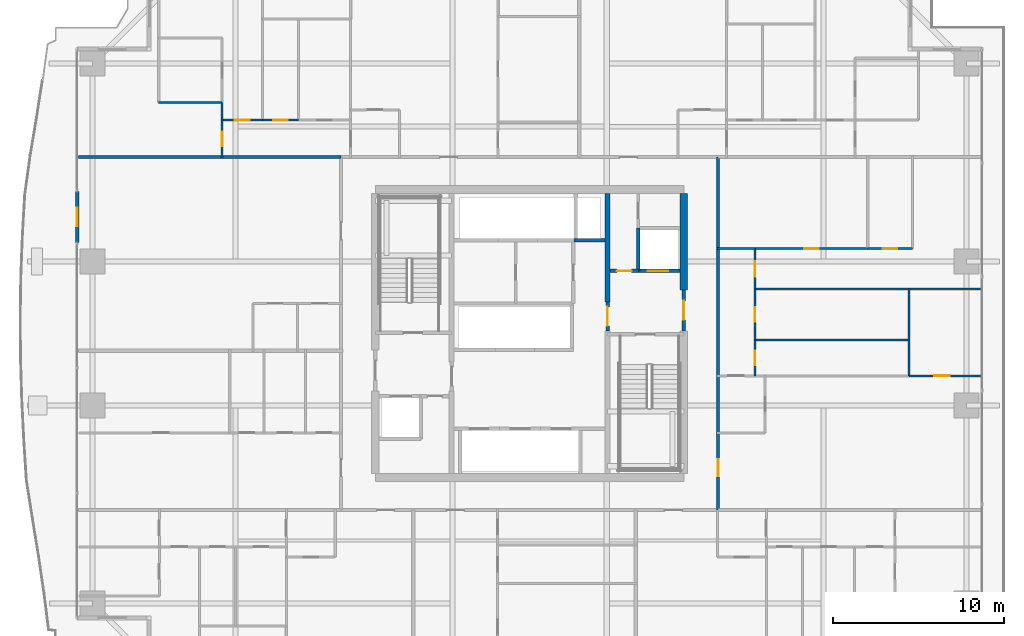
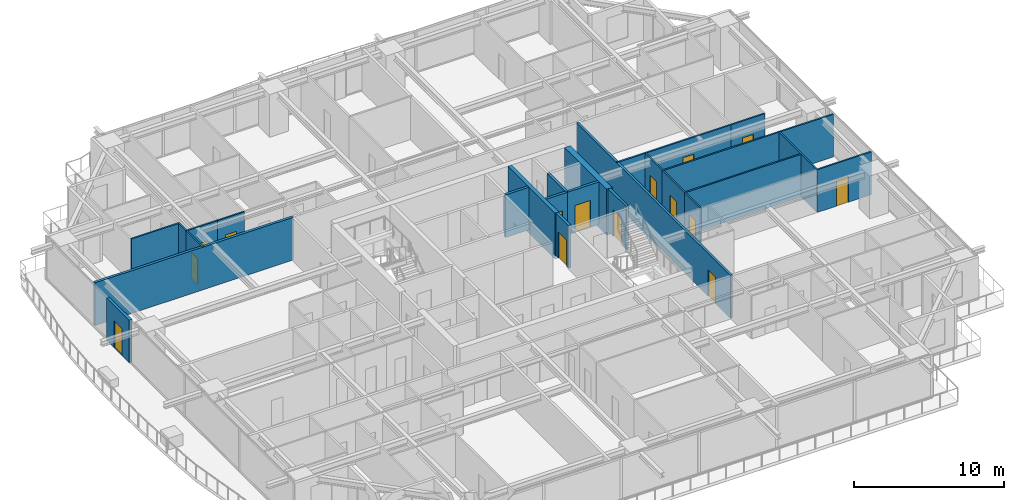
# One storey, part 26 of 35: 26 walls, 15 doors, 15 openings.
"""IFC4 building model written with IfcOpenShell, lengths in metres."""

from ifc_helpers import new_model, si_unit, direction, frame, frame_2d, origin, place, context, subcontext, project, spatial, rectangle, extrude, source, transform, mapped, material, layer, layer_set, type_object, element, fill, save


model = new_model("IFC4")

# Units and contexts
model_context = context("Model", 3, precision=1e-05, world=origin(), true_north=direction((0.0, 1.0)))
body_context = subcontext(model_context, "Body", "Model", "MODEL_VIEW")
ifc_project = project(units=[si_unit("LENGTHUNIT", "METRE"), si_unit("AREAUNIT", "SQUARE_METRE"), si_unit("VOLUMEUNIT", "CUBIC_METRE"), si_unit("PLANEANGLEUNIT", "RADIAN"), si_unit("MASSUNIT", "GRAM", prefix="KILO")], contexts=[model_context])

# Site, building, storey
site_placement = place(None, origin())
site = spatial("IfcSite", under=ifc_project, at=site_placement, CompositionType="ELEMENT")
building_placement = place(site_placement, origin())
building = spatial("IfcBuilding", under=site, at=building_placement, Name="Serunith Strait Residences", CompositionType="ELEMENT")
storey_placement = place(building_placement, frame((0.0, 0.0, 71.699951171875)))
storey = spatial("IfcBuildingStorey", under=building, at=storey_placement, Name="L17", CompositionType="ELEMENT", Elevation=71.699951171875)

# Wall, opening, door
ifc_material_1 = material(Name="Pale-Champagne Aluminium Insulated Panel", Category="aluminium")
ifc_layer_1 = layer(ifc_material_1, 0.219970703125, Name="Pale-Champagne Aluminium Insulated Panel")
ifc_layer_set_1 = layer_set([ifc_layer_1], Name="Pale-Champagne Aluminium Insulated Panel")
wall_type_1 = type_object("IfcWallType", Name="EW-ALUM-220", PredefinedType="ELEMENTEDWALL", material=ifc_layer_set_1)
wall_1_placement = place(storey_placement, frame((6.0, 33.5, 0.0), z_axis=(0.0, 0.0, 1.0), x_axis=(0.0, -1.0, 0.0)))
wall_1 = element("IfcWall", 1, at=wall_1_placement, inside=storey, type_object=wall_type_1, Name="L17 W Facade Pier Wall", PredefinedType="ELEMENTEDWALL", context=body_context, shape_type="SweptSolid", body=[
    extrude(rectangle(XDim=3.0, YDim=0.219970703125, at=frame_2d((1.5, 0.0))), origin(), (0.0, 0.0, 1.0), 3.47509765625),
])
opening_1_placement = place(wall_1_placement, frame((0.949951171875, 0.0, 0.0)))
opening_1 = element("IfcOpeningElement", 2, at=opening_1_placement, cuts=wall_1, Name="Opening ED-03", PredefinedType="OPENING", context=body_context, shape_type="SweptSolid", body=[
    extrude(rectangle(XDim=1.10009765625, YDim=2.199951171875, at=frame_2d((0.550048828125, 1.10009765625))), frame((0.0, 0.1201171875, 0.0), z_axis=(0.0, -1.0, 0.0), x_axis=(1.0, 0.0, 0.0)), (0.0, 0.0, 1.0), 0.239990234375),
])
ifc_material_2 = material(Name="Thermally-Broken Aluminium Glazed Balcony Door", Category="aluminium")
door_type_1 = type_object("IfcDoorType", Name="ED-BALC-1100", OperationType="NOTDEFINED", PredefinedType="DOOR", material=ifc_material_2)
shared_shape_1 = source(origin(), body_context, "Body", "SweptSolid", [
    extrude(rectangle(XDim=1.10009765625, YDim=2.199951171875, at=frame_2d((0.550048828125, 1.10009765625))), frame((0.0, 0.02490234375, 0.0), z_axis=(0.0, -1.0, 0.0), x_axis=(1.0, 0.0, 0.0)), (0.0, 0.0, 1.0), 0.050048828125),
])
door_1_placement = place(opening_1_placement, origin())
door_1 = element("IfcDoor", 3, at=door_1_placement, inside=storey, type_object=door_type_1, Name="L17 W Vertical-Forest Balcony Door", OperationType="SINGLE_SWING_LEFT", OverallHeight=2.199951171875, OverallWidth=1.10009765625, PredefinedType="DOOR", context=body_context, shape_type="MappedRepresentation", body=[
    mapped(shared_shape_1, transform((0.0, 0.0, 0.0), scale=1.0)),
])
fill(opening_1, door_1)

ifc_material_3 = material(Name="Fire-rated acoustic gypsum partition")
ifc_layer_2 = layer(ifc_material_3, 0.179931640625, Name="Fire-rated acoustic gypsum partition")
ifc_layer_set_2 = layer_set([ifc_layer_2], Name="Fire-rated acoustic gypsum partition")
wall_type_2 = type_object("IfcWallType", Name="IW-CORR-180", PredefinedType="PARTITIONING", material=ifc_layer_set_2)
wall_2_placement = place(storey_placement, frame((43.39990234375, 14.89990234375, 0.0), z_axis=(0.0, 0.0, 1.0), x_axis=(0.0, 1.0, 0.0)))
wall_2 = element("IfcWall", 4, at=wall_2_placement, inside=storey, type_object=wall_type_2, Name="L17 Partition Wall 026", PredefinedType="PARTITIONING", context=body_context, shape_type="SweptSolid", body=[
    extrude(rectangle(XDim=20.60009765625, YDim=0.179931640625, at=frame_2d((10.300048828125, 0.0))), origin(), (0.0, 0.0, 1.0), 3.489990234375),
])
opening_2_placement = place(wall_2_placement, frame((1.9599609375, 0.0, 0.0)))
opening_2 = element("IfcOpeningElement", 5, at=opening_2_placement, cuts=wall_2, Name="Opening D-APT1000", PredefinedType="OPENING", context=body_context, shape_type="SweptSolid", body=[
    extrude(rectangle(XDim=1.0, YDim=2.14990234375, at=frame_2d((0.5, 1.074951171875))), frame((0.0, 0.10009765625, 0.0), z_axis=(0.0, -1.0, 0.0), x_axis=(1.0, 0.0, 0.0)), (0.0, 0.0, 1.0), 0.199951171875),
])
ifc_material_4 = material(Name="Solid timber engineered fire door", Category="wood")
door_type_2 = type_object("IfcDoorType", Name="ID-APT-1000", OperationType="NOTDEFINED", PredefinedType="DOOR", material=ifc_material_4)
shared_shape_2 = source(origin(), body_context, "Body", "SweptSolid", [
    extrude(rectangle(XDim=1.0, YDim=2.14990234375, at=frame_2d((0.5, 1.074951171875))), frame((0.0, 0.02490234375, 0.0), z_axis=(0.0, -1.0, 0.0), x_axis=(1.0, 0.0, 0.0)), (0.0, 0.0, 1.0), 0.050048828125),
])
door_2_placement = place(opening_2_placement, origin())
door_2 = element("IfcDoor", 6, at=door_2_placement, inside=storey, type_object=door_type_2, Name="L17 Unit 08 Entrance Door", OperationType="SINGLE_SWING_RIGHT", OverallHeight=2.14990234375, OverallWidth=1.0, PredefinedType="DOOR", context=body_context, shape_type="MappedRepresentation", body=[
    mapped(shared_shape_2, transform((0.0, 0.0, 0.0), scale=1.0)),
])
fill(opening_2, door_2)

ifc_material_5 = material(Name="Lightweight steel-stud gypsum partition", Category="steel")
ifc_layer_3 = layer(ifc_material_5, 0.1201171875, Name="Lightweight steel-stud gypsum partition")
ifc_layer_set_3 = layer_set([ifc_layer_3], Name="Lightweight steel-stud gypsum partition")
wall_type_3 = type_object("IfcWallType", Name="IW-PART-120", PredefinedType="PARTITIONING", material=ifc_layer_set_3)
wall_3_placement = place(storey_placement, frame((16.81005859375, 37.64990234375, 0.0), z_axis=(0.0, 0.0, 1.0), x_axis=(1.0, 0.0, 0.0)))
wall_3 = element("IfcWall", 7, at=wall_3_placement, inside=storey, type_object=wall_type_3, Name="L17 Partition Wall 072", PredefinedType="PARTITIONING", context=body_context, shape_type="SweptSolid", body=[
    extrude(rectangle(XDim=2.099853515625, YDim=0.1201171875, at=frame_2d((1.0498046875, 0.0))), origin(), (0.0, 0.0, 1.0), 3.489990234375),
])
opening_3_placement = place(wall_3_placement, frame((0.625, 0.0, 0.0)))
opening_3 = element("IfcOpeningElement", 8, at=opening_3_placement, cuts=wall_3, Name="Opening D-BTH850", PredefinedType="OPENING", context=body_context, shape_type="SweptSolid", body=[
    extrude(rectangle(XDim=0.85009765625, YDim=2.10009765625, at=frame_2d((0.425048828125, 1.050048828125))), frame((0.0, 0.070068359375, 0.0), z_axis=(0.0, -1.0, 0.0), x_axis=(1.0, 0.0, 0.0)), (0.0, 0.0, 1.0), 0.14013671875),
])
ifc_material_6 = material(Name="Moisture-resistant timber bathroom door", Category="wood")
door_type_3 = type_object("IfcDoorType", Name="ID-BATH-850", OperationType="NOTDEFINED", PredefinedType="DOOR", material=ifc_material_6)
shared_shape_3 = source(origin(), body_context, "Body", "SweptSolid", [
    extrude(rectangle(XDim=0.85009765625, YDim=2.10009765625, at=frame_2d((0.425048828125, 1.050048828125))), frame((0.0, 0.02490234375, 0.0), z_axis=(0.0, -1.0, 0.0), x_axis=(1.0, 0.0, 0.0)), (0.0, 0.0, 1.0), 0.050048828125),
])
door_3_placement = place(opening_3_placement, origin())
door_3 = element("IfcDoor", 9, at=door_3_placement, inside=storey, type_object=door_type_3, Name="L17 Bathroom 1704 Door", OperationType="SINGLE_SWING_RIGHT", OverallHeight=2.10009765625, OverallWidth=0.85009765625, PredefinedType="DOOR", context=body_context, shape_type="MappedRepresentation", body=[
    mapped(shared_shape_3, transform((0.0, 0.0, 0.0), scale=1.0)),
])
fill(opening_3, door_3)

wall_4_placement = place(storey_placement, frame((14.4599609375, 37.64990234375, 0.0), z_axis=(0.0, 0.0, 1.0), x_axis=(1.0, 0.0, 0.0)))
wall_4 = element("IfcWall", 10, at=wall_4_placement, inside=storey, type_object=wall_type_3, Name="L17 Partition Wall 074", PredefinedType="PARTITIONING", context=body_context, shape_type="SweptSolid", body=[
    extrude(rectangle(XDim=2.34814453125, YDim=0.1201171875, at=frame_2d((1.174072265625, 0.0))), origin(), (0.0, 0.0, 1.0), 3.489990234375),
])
opening_4_placement = place(wall_4_placement, frame((0.72412109375, 0.0, 0.0)))
opening_4 = element("IfcOpeningElement", 11, at=opening_4_placement, cuts=wall_4, Name="Opening D-RM900", PredefinedType="OPENING", context=body_context, shape_type="SweptSolid", body=[
    extrude(rectangle(XDim=0.89990234375, YDim=2.10009765625, at=frame_2d((0.449951171875, 1.050048828125))), frame((0.0, 0.070068359375, 0.0), z_axis=(0.0, -1.0, 0.0), x_axis=(1.0, 0.0, 0.0)), (0.0, 0.0, 1.0), 0.14013671875),
])
ifc_material_7 = material(Name="Engineered timber flush bedroom door", Category="wood")
door_type_4 = type_object("IfcDoorType", Name="ID-ROOM-900", OperationType="NOTDEFINED", PredefinedType="DOOR", material=ifc_material_7)
shared_shape_4 = source(origin(), body_context, "Body", "SweptSolid", [
    extrude(rectangle(XDim=0.89990234375, YDim=2.10009765625, at=frame_2d((0.449951171875, 1.050048828125))), frame((0.0, 0.02490234375, 0.0), z_axis=(0.0, -1.0, 0.0), x_axis=(1.0, 0.0, 0.0)), (0.0, 0.0, 1.0), 0.050048828125),
])
door_4_placement = place(opening_4_placement, origin())
door_4 = element("IfcDoor", 12, at=door_4_placement, inside=storey, type_object=door_type_4, Name="L17 Master Bedroom W 1704 Door", OperationType="SINGLE_SWING_RIGHT", OverallHeight=2.10009765625, OverallWidth=0.89990234375, PredefinedType="DOOR", context=body_context, shape_type="MappedRepresentation", body=[
    mapped(shared_shape_4, transform((0.0, 0.0, 0.0), scale=1.0)),
])
fill(opening_4, door_4)

# Walls
wall_5_placement = place(storey_placement, frame((10.760009765625, 38.66796875, 0.0), z_axis=(0.0, 0.0, 1.0), x_axis=(1.0, 0.0, 0.0)))
element("IfcWall", 13, at=wall_5_placement, inside=storey, type_object=wall_type_3, Name="L17 Partition Wall 077", PredefinedType="PARTITIONING", context=body_context, shape_type="SweptSolid", body=[
    extrude(rectangle(XDim=3.699951171875, YDim=0.1201171875, at=frame_2d((1.85009765625, 0.0))), origin(), (0.0, 0.0, 1.0), 3.489990234375),
])
wall_6_placement = place(storey_placement, frame((14.4599609375, 38.666015625, 0.0), z_axis=(0.0, 0.0, 1.0), x_axis=(0.0, -1.0, 0.0)))
element("IfcWall", 14, at=wall_6_placement, inside=storey, type_object=wall_type_3, Name="L17 Partition Wall 079", PredefinedType="PARTITIONING", context=body_context, shape_type="SweptSolid", body=[
    extrude(rectangle(XDim=1.01611328125, YDim=0.1201171875, at=frame_2d((0.508056640625, 0.0))), origin(), (0.0, 0.0, 1.0), 3.489990234375),
])

# Wall, opening, door
wall_7_placement = place(storey_placement, frame((14.4599609375, 37.64794921875, 0.0), z_axis=(0.0, 0.0, 1.0), x_axis=(0.0, -1.0, 0.0)))
wall_7 = element("IfcWall", 15, at=wall_7_placement, inside=storey, type_object=wall_type_3, Name="L17 Partition Wall 080", PredefinedType="PARTITIONING", context=body_context, shape_type="SweptSolid", body=[
    extrude(rectangle(XDim=2.2080078125, YDim=0.1201171875, at=frame_2d((1.10400390625, 0.0))), origin(), (0.0, 0.0, 1.0), 3.489990234375),
])
opening_5_placement = place(wall_7_placement, frame((0.678955078125, 0.0, 0.0)))
opening_5 = element("IfcOpeningElement", 16, at=opening_5_placement, cuts=wall_7, Name="Opening D-RM850", PredefinedType="OPENING", context=body_context, shape_type="SweptSolid", body=[
    extrude(rectangle(XDim=0.85009765625, YDim=2.10009765625, at=frame_2d((0.425048828125, 1.050048828125))), frame((0.0, 0.070068359375, 0.0), z_axis=(0.0, -1.0, 0.0), x_axis=(1.0, 0.0, 0.0)), (0.0, 0.0, 1.0), 0.14013671875),
])
ifc_material_8 = material(Name="Engineered timber flush study and kitchen door", Category="wood")
door_type_5 = type_object("IfcDoorType", Name="ID-ROOM-850", OperationType="NOTDEFINED", PredefinedType="DOOR", material=ifc_material_8)
door_5_placement = place(opening_5_placement, origin())
door_5 = element("IfcDoor", 17, at=door_5_placement, inside=storey, type_object=door_type_5, Name="L17 Wardrobe W 1704 Door", OperationType="SINGLE_SWING_RIGHT", OverallHeight=2.10009765625, OverallWidth=0.85009765625, PredefinedType="DOOR", context=body_context, shape_type="MappedRepresentation", body=[
    mapped(shared_shape_3, transform((0.0, 0.0, 0.0), scale=1.0)),
])
fill(opening_5, door_5)

wall_8_placement = place(storey_placement, frame((58.705078125, 22.72998046875, 0.0), z_axis=(0.0, 0.0, 1.0), x_axis=(-1.0, 0.0, 0.0)))
wall_8 = element("IfcWall", 18, at=wall_8_placement, inside=storey, type_object=wall_type_3, Name="L17 Partition Wall 116", PredefinedType="PARTITIONING", context=body_context, shape_type="SweptSolid", body=[
    extrude(rectangle(XDim=4.1650390625, YDim=0.1201171875, at=frame_2d((2.08251953125, 0.0))), origin(), (0.0, 0.0, 1.0), 3.489990234375),
])
opening_6_placement = place(wall_8_placement, frame((1.7958984375, 0.0, 0.0)))
opening_6 = element("IfcOpeningElement", 19, at=opening_6_placement, cuts=wall_8, Name="Opening D-RM900", PredefinedType="OPENING", context=body_context, shape_type="SweptSolid", body=[
    extrude(rectangle(XDim=0.89990234375, YDim=2.10009765625, at=frame_2d((0.449951171875, 1.050048828125))), frame((0.0, 0.070068359375, 0.0), z_axis=(0.0, -1.0, 0.0), x_axis=(1.0, 0.0, 0.0)), (0.0, 0.0, 1.0), 0.14013671875),
])
door_6_placement = place(opening_6_placement, origin())
door_6 = element("IfcDoor", 20, at=door_6_placement, inside=storey, type_object=door_type_4, Name="L17 Study 1 1708 Door", OperationType="SINGLE_SWING_RIGHT", OverallHeight=2.10009765625, OverallWidth=0.89990234375, PredefinedType="DOOR", context=body_context, shape_type="MappedRepresentation", body=[
    mapped(shared_shape_4, transform((0.0, 0.0, 0.0), scale=1.0)),
])
fill(opening_6, door_6)

# Walls
wall_9_placement = place(storey_placement, frame((54.5400390625, 22.72998046875, 0.0), z_axis=(0.0, 0.0, 1.0), x_axis=(0.0, 1.0, 0.0)))
element("IfcWall", 21, at=wall_9_placement, inside=storey, type_object=wall_type_3, Name="L17 Partition Wall 118", PredefinedType="PARTITIONING", context=body_context, shape_type="SweptSolid", body=[
    extrude(rectangle(XDim=5.070068359375, YDim=0.1201171875, at=frame_2d((2.53515625, 0.0))), origin(), (0.0, 0.0, 1.0), 3.489990234375),
])
wall_10_placement = place(storey_placement, frame((58.705078125, 27.800048828125, 0.0), z_axis=(0.0, 0.0, 1.0), x_axis=(-1.0, 0.0, 0.0)))
element("IfcWall", 22, at=wall_10_placement, inside=storey, type_object=wall_type_3, Name="L17 Partition Wall 119", PredefinedType="PARTITIONING", context=body_context, shape_type="SweptSolid", body=[
    extrude(rectangle(XDim=13.155029296875, YDim=0.1201171875, at=frame_2d((6.57763671875, 0.0))), origin(), (0.0, 0.0, 1.0), 3.489990234375),
])
wall_11_placement = place(storey_placement, frame((54.5400390625, 24.830078125, 0.0), z_axis=(0.0, 0.0, 1.0), x_axis=(-1.0, 0.0, 0.0)))
element("IfcWall", 23, at=wall_11_placement, inside=storey, type_object=wall_type_3, Name="L17 Partition Wall 120", PredefinedType="PARTITIONING", context=body_context, shape_type="SweptSolid", body=[
    extrude(rectangle(XDim=8.989990234375, YDim=0.1201171875, at=frame_2d((4.4951171875, 0.0))), origin(), (0.0, 0.0, 1.0), 3.489990234375),
])

# Wall, opening, door
wall_12_placement = place(storey_placement, frame((45.550048828125, 22.72998046875, 0.0), z_axis=(0.0, 0.0, 1.0), x_axis=(0.0, 1.0, 0.0)))
wall_12 = element("IfcWall", 24, at=wall_12_placement, inside=storey, type_object=wall_type_3, Name="L17 Partition Wall 121", PredefinedType="PARTITIONING", context=body_context, shape_type="SweptSolid", body=[
    extrude(rectangle(XDim=2.10009765625, YDim=0.1201171875, at=frame_2d((1.050048828125, 0.0))), origin(), (0.0, 0.0, 1.0), 3.489990234375),
])
opening_7_placement = place(wall_12_placement, frame((0.625, 0.0, 0.0)))
opening_7 = element("IfcOpeningElement", 25, at=opening_7_placement, cuts=wall_12, Name="Opening D-BTH850", PredefinedType="OPENING", context=body_context, shape_type="SweptSolid", body=[
    extrude(rectangle(XDim=0.85009765625, YDim=2.10009765625, at=frame_2d((0.425048828125, 1.050048828125))), frame((0.0, 0.070068359375, 0.0), z_axis=(0.0, -1.0, 0.0), x_axis=(1.0, 0.0, 0.0)), (0.0, 0.0, 1.0), 0.14013671875),
])
door_7_placement = place(opening_7_placement, origin())
door_7 = element("IfcDoor", 26, at=door_7_placement, inside=storey, type_object=door_type_3, Name="L17 Bathroom 1708 Door", OperationType="SINGLE_SWING_LEFT", OverallHeight=2.10009765625, OverallWidth=0.85009765625, PredefinedType="DOOR", context=body_context, shape_type="MappedRepresentation", body=[
    mapped(shared_shape_3, transform((0.0, 0.0, 0.0), scale=1.0)),
])
fill(opening_7, door_7)

wall_13_placement = place(storey_placement, frame((45.550048828125, 24.83203125, 0.0), z_axis=(0.0, 0.0, 1.0), x_axis=(0.0, 1.0, 0.0)))
wall_13 = element("IfcWall", 27, at=wall_13_placement, inside=storey, type_object=wall_type_3, Name="L17 Partition Wall 122", PredefinedType="PARTITIONING", context=body_context, shape_type="SweptSolid", body=[
    extrude(rectangle(XDim=2.968017578125, YDim=0.1201171875, at=frame_2d((1.48388671875, 0.0))), origin(), (0.0, 0.0, 1.0), 3.489990234375),
])
opening_8_placement = place(wall_13_placement, frame((1.05908203125, 0.0, 0.0)))
opening_8 = element("IfcOpeningElement", 28, at=opening_8_placement, cuts=wall_13, Name="Opening D-RM850", PredefinedType="OPENING", context=body_context, shape_type="SweptSolid", body=[
    extrude(rectangle(XDim=0.85009765625, YDim=2.10009765625, at=frame_2d((0.425048828125, 1.050048828125))), frame((0.0, 0.070068359375, 0.0), z_axis=(0.0, -1.0, 0.0), x_axis=(1.0, 0.0, 0.0)), (0.0, 0.0, 1.0), 0.14013671875),
])
door_8_placement = place(opening_8_placement, origin())
door_8 = element("IfcDoor", 29, at=door_8_placement, inside=storey, type_object=door_type_5, Name="L17 Study 1708 Door", OperationType="SINGLE_SWING_RIGHT", OverallHeight=2.10009765625, OverallWidth=0.85009765625, PredefinedType="DOOR", context=body_context, shape_type="MappedRepresentation", body=[
    mapped(shared_shape_3, transform((0.0, 0.0, 0.0), scale=1.0)),
])
fill(opening_8, door_8)

wall_14_placement = place(storey_placement, frame((45.550048828125, 27.802001953125, 0.0), z_axis=(0.0, 0.0, 1.0), x_axis=(0.0, 1.0, 0.0)))
wall_14 = element("IfcWall", 30, at=wall_14_placement, inside=storey, type_object=wall_type_3, Name="L17 Partition Wall 123", PredefinedType="PARTITIONING", context=body_context, shape_type="SweptSolid", body=[
    extrude(rectangle(XDim=2.347900390625, YDim=0.1201171875, at=frame_2d((1.173828125, 0.0))), origin(), (0.0, 0.0, 1.0), 3.489990234375),
])
opening_9_placement = place(wall_14_placement, frame((0.72412109375, 0.0, 0.0)))
opening_9 = element("IfcOpeningElement", 31, at=opening_9_placement, cuts=wall_14, Name="Opening D-RM900", PredefinedType="OPENING", context=body_context, shape_type="SweptSolid", body=[
    extrude(rectangle(XDim=0.89990234375, YDim=2.10009765625, at=frame_2d((0.449951171875, 1.050048828125))), frame((0.0, 0.070068359375, 0.0), z_axis=(0.0, -1.0, 0.0), x_axis=(1.0, 0.0, 0.0)), (0.0, 0.0, 1.0), 0.14013671875),
])
door_9_placement = place(opening_9_placement, origin())
door_9 = element("IfcDoor", 32, at=door_9_placement, inside=storey, type_object=door_type_4, Name="L17 Master Bedroom E 1708 Door", OperationType="SINGLE_SWING_LEFT", OverallHeight=2.10009765625, OverallWidth=0.89990234375, PredefinedType="DOOR", context=body_context, shape_type="MappedRepresentation", body=[
    mapped(shared_shape_4, transform((0.0, 0.0, 0.0), scale=1.0)),
])
fill(opening_9, door_9)

wall_15_placement = place(storey_placement, frame((54.75, 30.14990234375, 0.0), z_axis=(0.0, 0.0, 1.0), x_axis=(-1.0, 0.0, 0.0)))
wall_15 = element("IfcWall", 33, at=wall_15_placement, inside=storey, type_object=wall_type_3, Name="L17 Partition Wall 126", PredefinedType="PARTITIONING", context=body_context, shape_type="SweptSolid", body=[
    extrude(rectangle(XDim=2.616943359375, YDim=0.1201171875, at=frame_2d((1.30859375, 0.0))), origin(), (0.0, 0.0, 1.0), 3.489990234375),
])
opening_10_placement = place(wall_15_placement, frame((0.883056640625, 0.0, 0.0)))
opening_10 = element("IfcOpeningElement", 34, at=opening_10_placement, cuts=wall_15, Name="Opening D-BTH850", PredefinedType="OPENING", context=body_context, shape_type="SweptSolid", body=[
    extrude(rectangle(XDim=0.85009765625, YDim=2.10009765625, at=frame_2d((0.425048828125, 1.050048828125))), frame((0.0, 0.070068359375, 0.0), z_axis=(0.0, -1.0, 0.0), x_axis=(1.0, 0.0, 0.0)), (0.0, 0.0, 1.0), 0.14013671875),
])
door_10_placement = place(opening_10_placement, origin())
door_10 = element("IfcDoor", 35, at=door_10_placement, inside=storey, type_object=door_type_3, Name="L17 En-suite Bathroom E 1708 Door", OperationType="SINGLE_SWING_RIGHT", OverallHeight=2.10009765625, OverallWidth=0.85009765625, PredefinedType="DOOR", context=body_context, shape_type="MappedRepresentation", body=[
    mapped(shared_shape_3, transform((0.0, 0.0, 0.0), scale=1.0)),
])
fill(opening_10, door_10)

wall_16_placement = place(storey_placement, frame((52.131103515625, 30.14990234375, 0.0), z_axis=(0.0, 0.0, 1.0), x_axis=(-1.0, 0.0, 0.0)))
wall_16 = element("IfcWall", 36, at=wall_16_placement, inside=storey, type_object=wall_type_3, Name="L17 Partition Wall 127", PredefinedType="PARTITIONING", context=body_context, shape_type="SweptSolid", body=[
    extrude(rectangle(XDim=6.5810546875, YDim=0.1201171875, at=frame_2d((3.29052734375, 0.0))), origin(), (0.0, 0.0, 1.0), 3.489990234375),
])
opening_11_placement = place(wall_16_placement, frame((2.865966796875, 0.0, 0.0)))
opening_11 = element("IfcOpeningElement", 37, at=opening_11_placement, cuts=wall_16, Name="Opening D-RM850", PredefinedType="OPENING", context=body_context, shape_type="SweptSolid", body=[
    extrude(rectangle(XDim=0.85009765625, YDim=2.10009765625, at=frame_2d((0.425048828125, 1.050048828125))), frame((0.0, 0.070068359375, 0.0), z_axis=(0.0, -1.0, 0.0), x_axis=(1.0, 0.0, 0.0)), (0.0, 0.0, 1.0), 0.14013671875),
])
door_11_placement = place(opening_11_placement, origin())
door_11 = element("IfcDoor", 38, at=door_11_placement, inside=storey, type_object=door_type_5, Name="L17 Wardrobe E 1708 Door", OperationType="SINGLE_SWING_LEFT", OverallHeight=2.10009765625, OverallWidth=0.85009765625, PredefinedType="DOOR", context=body_context, shape_type="MappedRepresentation", body=[
    mapped(shared_shape_3, transform((0.0, 0.0, 0.0), scale=1.0)),
])
fill(opening_11, door_11)

# Walls
wall_17_placement = place(storey_placement, frame((45.548095703125, 30.14990234375, 0.0), z_axis=(0.0, 0.0, 1.0), x_axis=(-1.0, 0.0, 0.0)))
element("IfcWall", 39, at=wall_17_placement, inside=storey, type_object=wall_type_3, Name="L17 Partition Wall 128", PredefinedType="PARTITIONING", context=body_context, shape_type="SweptSolid", body=[
    extrude(rectangle(XDim=2.2080078125, YDim=0.1201171875, at=frame_2d((1.10400390625, 0.0))), origin(), (0.0, 0.0, 1.0), 3.489990234375),
])
ifc_material_9 = material(Name="Twin-stud acoustic gypsum board partition")
ifc_layer_4 = layer(ifc_material_9, 0.199951171875, Name="Twin-stud acoustic gypsum board partition")
ifc_layer_set_4 = layer_set([ifc_layer_4], Name="Twin-stud acoustic gypsum board partition")
wall_type_4 = type_object("IfcWallType", Name="IW-PARTY-200", PredefinedType="PARTITIONING", material=ifc_layer_set_4)
wall_18_placement = place(storey_placement, frame((6.08203125, 35.5, 0.0), z_axis=(0.0, 0.0, 1.0), x_axis=(1.0, 0.0, 0.0)))
element("IfcWall", 40, at=wall_18_placement, inside=storey, type_object=wall_type_4, Name="L17 Partition Wall 021", PredefinedType="PARTITIONING", context=body_context, shape_type="SweptSolid", body=[
    extrude(rectangle(XDim=15.31787109375, YDim=0.199951171875, at=frame_2d((7.658935546875, 0.0))), origin(), (0.0, 0.0, 1.0), 3.489990234375),
])

# Wall, opening, door
ifc_material_10 = material(Name="Autoclaved aerated concrete blockwork", Category="masonry")
ifc_layer_5 = layer(ifc_material_10, 0.199951171875, Name="Autoclaved aerated concrete blockwork")
ifc_layer_set_5 = layer_set([ifc_layer_5], Name="Autoclaved aerated concrete blockwork")
wall_type_5 = type_object("IfcWallType", Name="IW-SHAFT-200", PredefinedType="STANDARD", material=ifc_layer_set_5)
wall_19_placement = place(storey_placement, frame((38.75, 28.85009765625, 0.0), z_axis=(0.0, 0.0, 1.0), x_axis=(1.0, 0.0, 0.0)))
wall_19 = element("IfcWall", 41, at=wall_19_placement, inside=storey, type_object=wall_type_5, Name="L17 FL-2 South Shaft Wall", PredefinedType="STANDARD", context=body_context, shape_type="SweptSolid", body=[
    extrude(rectangle(XDim=2.425048828125, YDim=0.199951171875, at=frame_2d((1.21240234375, 0.0))), origin(), (0.0, 0.0, 1.0), 3.489990234375),
])
opening_12_placement = place(wall_19_placement, frame((0.550048828125, 0.0, 0.0)))
opening_12 = element("IfcOpeningElement", 42, at=opening_12_placement, cuts=wall_19, Name="Opening LD-FF1200", PredefinedType="OPENING", context=body_context, shape_type="SweptSolid", body=[
    extrude(rectangle(XDim=1.199951171875, YDim=2.199951171875, at=frame_2d((0.60009765625, 1.10009765625))), frame((0.0, 0.10986328125, 0.0), z_axis=(0.0, -1.0, 0.0), x_axis=(1.0, 0.0, 0.0)), (0.0, 0.0, 1.0), 0.219970703125),
])
ifc_material_11 = material(Name="Brushed stainless steel landing door", Category="steel")
door_type_6 = type_object("IfcDoorType", Name="LD-FF-1200", OperationType="DOUBLE_DOOR_SLIDING", PredefinedType="DOOR", material=ifc_material_11)
shared_shape_5 = source(origin(), body_context, "Body", "SweptSolid", [
    extrude(rectangle(XDim=1.199951171875, YDim=2.199951171875, at=frame_2d((0.60009765625, 1.10009765625))), frame((0.0, 0.02490234375, 0.0), z_axis=(0.0, -1.0, 0.0), x_axis=(1.0, 0.0, 0.0)), (0.0, 0.0, 1.0), 0.050048828125),
])
door_12_placement = place(opening_12_placement, origin())
door_12 = element("IfcDoor", 43, at=door_12_placement, inside=storey, type_object=door_type_6, Name="L17 FL-2 Landing Door", OperationType="DOUBLE_DOOR_SLIDING", OverallHeight=2.199951171875, OverallWidth=1.199951171875, PredefinedType="DOOR", context=body_context, shape_type="MappedRepresentation", body=[
    mapped(shared_shape_5, transform((0.0, 0.0, 0.0), scale=1.0)),
])
fill(opening_12, door_12)

# Walls
wall_20_placement = place(storey_placement, frame((35.0, 30.64990234375, 0.0), z_axis=(0.0, 0.0, 1.0), x_axis=(1.0, 0.0, 0.0)))
element("IfcWall", 44, at=wall_20_placement, inside=storey, type_object=wall_type_5, Name="L17 SL-1 South Shaft Wall", PredefinedType="STANDARD", context=body_context, shape_type="SweptSolid", body=[
    extrude(rectangle(XDim=1.800048828125, YDim=0.199951171875, at=frame_2d((0.89990234375, 0.0))), origin(), (0.0, 0.0, 1.0), 3.489990234375),
])
wall_21_placement = place(storey_placement, frame((38.75, 28.85009765625, 0.0), z_axis=(0.0, 0.0, 1.0), x_axis=(0.0, 1.0, 0.0)))
element("IfcWall", 45, at=wall_21_placement, inside=storey, type_object=wall_type_5, Name="L17 Partition Wall 004", PredefinedType="STANDARD", context=body_context, shape_type="SweptSolid", body=[
    extrude(rectangle(XDim=2.5, YDim=0.199951171875, at=frame_2d((1.25, 0.0))), origin(), (0.0, 0.0, 1.0), 3.489990234375),
])

# Wall, opening, door
wall_22_placement = place(storey_placement, frame((37.10009765625, 28.85009765625, 0.0), z_axis=(0.0, 0.0, 1.0), x_axis=(1.0, 0.0, 0.0)))
wall_22 = element("IfcWall", 46, at=wall_22_placement, inside=storey, type_object=wall_type_5, Name="L17 Partition Wall 006", PredefinedType="STANDARD", context=body_context, shape_type="SweptSolid", body=[
    extrude(rectangle(XDim=1.64794921875, YDim=0.199951171875, at=frame_2d((0.823974609375, 0.0))), origin(), (0.0, 0.0, 1.0), 3.489990234375),
])
opening_13_placement = place(wall_22_placement, frame((0.39892578125, 0.0, 0.0)))
opening_13 = element("IfcOpeningElement", 47, at=opening_13_placement, cuts=wall_22, Name="Opening FD-850", PredefinedType="OPENING", context=body_context, shape_type="SweptSolid", body=[
    extrude(rectangle(XDim=0.85009765625, YDim=2.10009765625, at=frame_2d((0.425048828125, 1.050048828125))), frame((0.0, 0.10986328125, 0.0), z_axis=(0.0, -1.0, 0.0), x_axis=(1.0, 0.0, 0.0)), (0.0, 0.0, 1.0), 0.219970703125),
])
ifc_material_12 = material(Name="Powder-coated steel service closet door", Category="steel")
door_type_7 = type_object("IfcDoorType", Name="FD-BOH-850", OperationType="NOTDEFINED", PredefinedType="DOOR", material=ifc_material_12)
door_13_placement = place(opening_13_placement, origin())
door_13 = element("IfcDoor", 48, at=door_13_placement, inside=storey, type_object=door_type_7, Name="L17 North-East Core Service Door", OperationType="SINGLE_SWING_LEFT", OverallHeight=2.10009765625, OverallWidth=0.85009765625, PredefinedType="DOOR", context=body_context, shape_type="MappedRepresentation", body=[
    mapped(shared_shape_3, transform((0.0, 0.0, 0.0), scale=1.0)),
])
fill(opening_13, door_13)

wall_23_placement = place(storey_placement, frame((41.39990234375, 25.35205078125, 0.0), z_axis=(0.0, 0.0, 1.0), x_axis=(0.0, 1.0, 0.0)))
wall_23 = element("IfcWall", 49, at=wall_23_placement, inside=storey, type_object=wall_type_5, Name="L17 Partition Wall 008", PredefinedType="STANDARD", context=body_context, shape_type="SweptSolid", body=[
    extrude(rectangle(XDim=2.39599609375, YDim=0.199951171875, at=frame_2d((1.197998046875, 0.0))), origin(), (0.0, 0.0, 1.0), 3.489990234375),
])
opening_14_placement = place(wall_23_placement, frame((0.64794921875, 0.0, 0.0)))
opening_14 = element("IfcOpeningElement", 50, at=opening_14_placement, cuts=wall_23, Name="Opening FD-FFL", PredefinedType="OPENING", context=body_context, shape_type="SweptSolid", body=[
    extrude(rectangle(XDim=1.10009765625, YDim=2.14990234375, at=frame_2d((0.550048828125, 1.074951171875))), frame((0.0, 0.10986328125, 0.0), z_axis=(0.0, -1.0, 0.0), x_axis=(1.0, 0.0, 0.0)), (0.0, 0.0, 1.0), 0.219970703125),
])
ifc_material_13 = material(Name="Glazed steel smoke-lobby fire door", Category="steel")
door_type_8 = type_object("IfcDoorType", Name="FD-FFL-1100", OperationType="NOTDEFINED", PredefinedType="DOOR", material=ifc_material_13)
shared_shape_6 = source(origin(), body_context, "Body", "SweptSolid", [
    extrude(rectangle(XDim=1.10009765625, YDim=2.14990234375, at=frame_2d((0.550048828125, 1.074951171875))), frame((0.0, 0.02490234375, 0.0), z_axis=(0.0, -1.0, 0.0), x_axis=(1.0, 0.0, 0.0)), (0.0, 0.0, 1.0), 0.050048828125),
])
door_14_placement = place(opening_14_placement, origin())
door_14 = element("IfcDoor", 51, at=door_14_placement, inside=storey, type_object=door_type_8, Name="L17 FFL-2 Corridor Fire Door", OperationType="SINGLE_SWING_LEFT", OverallHeight=2.14990234375, OverallWidth=1.10009765625, PredefinedType="DOOR", context=body_context, shape_type="MappedRepresentation", body=[
    mapped(shared_shape_6, transform((0.0, 0.0, 0.0), scale=1.0)),
])
fill(opening_14, door_14)

wall_24_placement = place(storey_placement, frame((36.949951171875, 25.35205078125, 0.0), z_axis=(0.0, 0.0, 1.0), x_axis=(0.0, 1.0, 0.0)))
wall_24 = element("IfcWall", 52, at=wall_24_placement, inside=storey, type_object=wall_type_5, Name="L17 Partition Wall 010", PredefinedType="STANDARD", context=body_context, shape_type="SweptSolid", body=[
    extrude(rectangle(XDim=1.696044921875, YDim=0.199951171875, at=frame_2d((0.84814453125, 0.0))), origin(), (0.0, 0.0, 1.0), 3.489990234375),
])
opening_15_placement = place(wall_24_placement, frame((0.298095703125, 0.0, 0.0)))
opening_15 = element("IfcOpeningElement", 53, at=opening_15_placement, cuts=wall_24, Name="Opening FD-FFL", PredefinedType="OPENING", context=body_context, shape_type="SweptSolid", body=[
    extrude(rectangle(XDim=1.10009765625, YDim=2.14990234375, at=frame_2d((0.550048828125, 1.074951171875))), frame((0.0, 0.10986328125, 0.0), z_axis=(0.0, -1.0, 0.0), x_axis=(1.0, 0.0, 0.0)), (0.0, 0.0, 1.0), 0.219970703125),
])
door_15_placement = place(opening_15_placement, origin())
door_15 = element("IfcDoor", 54, at=door_15_placement, inside=storey, type_object=door_type_8, Name="L17 FFL-2 Lift Lobby Door", OperationType="SINGLE_SWING_LEFT", OverallHeight=2.14990234375, OverallWidth=1.10009765625, PredefinedType="DOOR", context=body_context, shape_type="MappedRepresentation", body=[
    mapped(shared_shape_6, transform((0.0, 0.0, 0.0), scale=1.0)),
])
fill(opening_15, door_15)

# Walls
ifc_material_14 = material(Name="Concrete C80/95", Category="concrete")
ifc_layer_6 = layer(ifc_material_14, 0.300048828125, Name="Concrete C80/95")
ifc_layer_set_6 = layer_set([ifc_layer_6], Name="Concrete C80/95")
wall_type_6 = type_object("IfcWallType", Name="SW-300-C80", PredefinedType="SHEAR", material=ifc_layer_set_6)
wall_25_placement = place(storey_placement, frame((36.949951171875, 27.050048828125, -0.260009765625), z_axis=(0.0, 0.0, 1.0), x_axis=(0.0, 1.0, 0.0)))
element("IfcWall", 55, at=wall_25_placement, inside=storey, type_object=wall_type_6, Name="L17 Core Internal East Web North Pier", PredefinedType="SHEAR", context=body_context, shape_type="SweptSolid", body=[
    extrude(rectangle(XDim=6.324951171875, YDim=0.300048828125, at=frame_2d((3.16259765625, 0.0))), origin(), (0.0, 0.0, 1.0), 3.748046875),
])
ifc_layer_7 = layer(ifc_material_14, 0.449951171875, Name="Concrete C80/95")
ifc_layer_set_7 = layer_set([ifc_layer_7], Name="Concrete C80/95")
wall_type_7 = type_object("IfcWallType", Name="SW-450-C80", PredefinedType="SHEAR", material=ifc_layer_set_7)
wall_26_placement = place(storey_placement, frame((41.39990234375, 27.75, -0.260009765625), z_axis=(0.0, 0.0, 1.0), x_axis=(0.0, 1.0, 0.0)))
element("IfcWall", 56, at=wall_26_placement, inside=storey, type_object=wall_type_7, Name="L17 Core East Shear Wall North Pier", PredefinedType="SHEAR", context=body_context, shape_type="SweptSolid", body=[
    extrude(rectangle(XDim=5.625, YDim=0.449951171875, at=frame_2d((2.8125, 0.0))), origin(), (0.0, 0.0, 1.0), 3.748046875),
])

save(model, "model.ifc")
